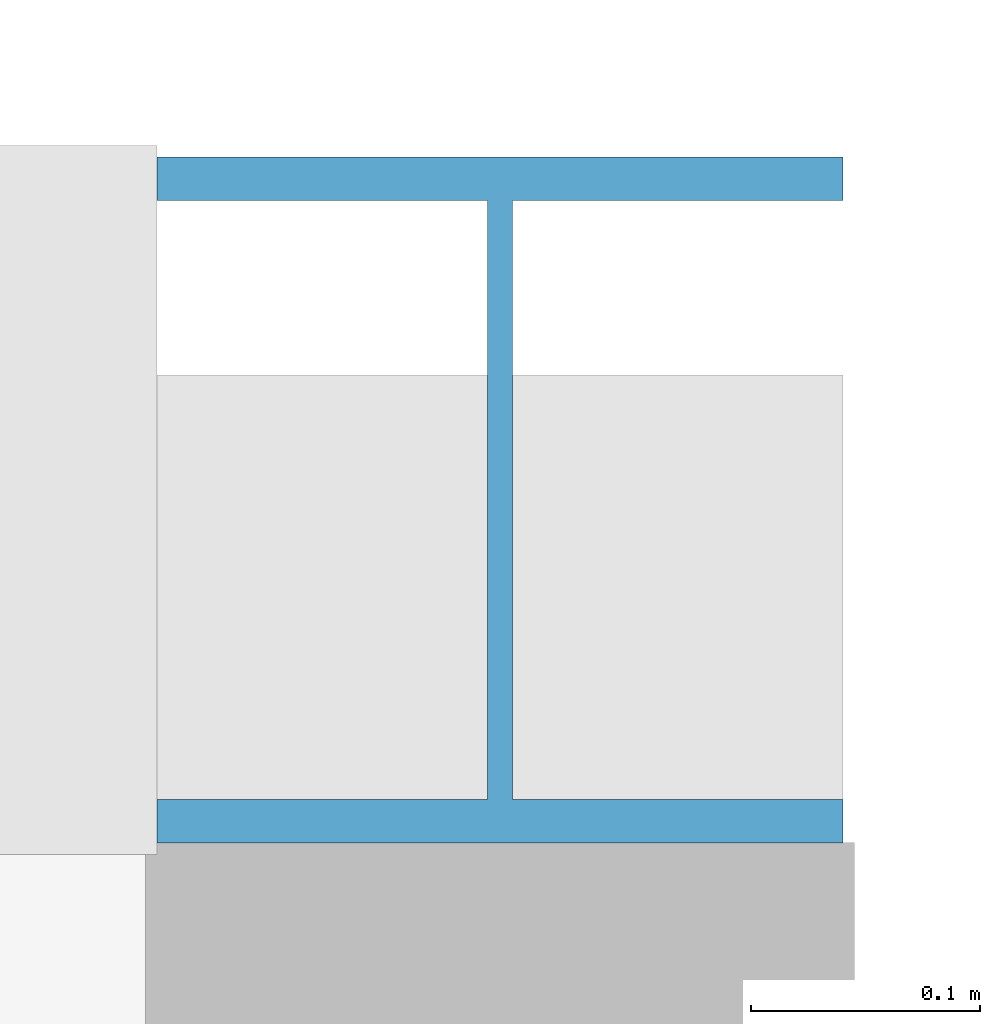
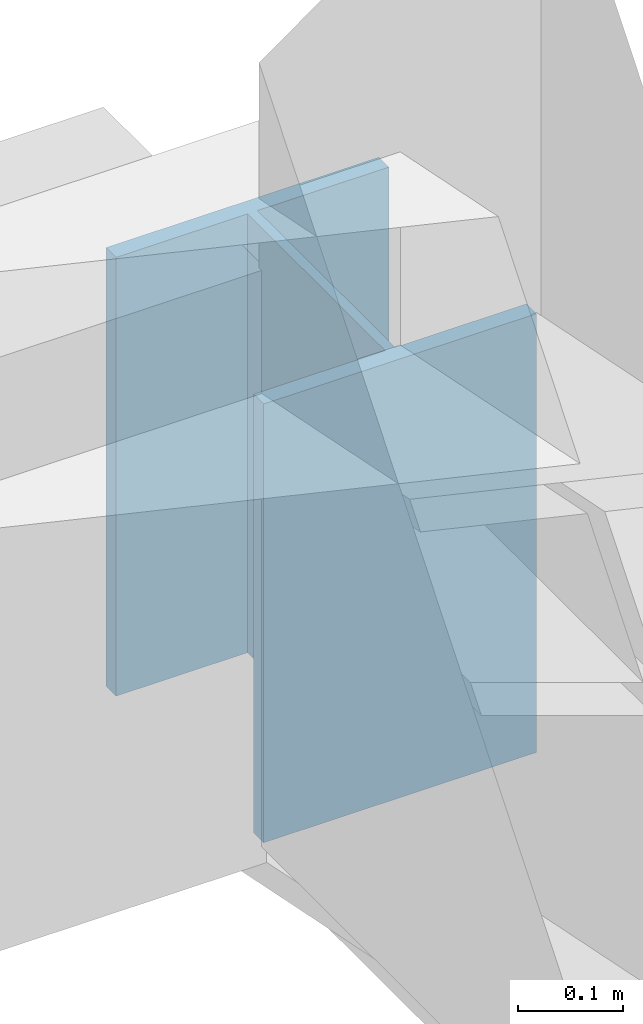
# One storey, part 14 of 103: 1 column.
"""IFC4 building model written with IfcOpenShell, lengths in metres."""

import ifcopenshell
import ifcopenshell.guid

model = None  # the IFC model being written
_history = None  # IfcOwnerHistory: only IFC2X3 demands one
_inside = {}  # id of a spatial element -> (the spatial element, [elements in it])
_under = {}  # id of a project, library or spatial element -> (it, [spatial elements below it])
_declared = {}  # id of a project -> (the project, [libraries it declares])
_typed = {}  # id of a type object -> (the type object, [elements of that type])
_made_of = {}  # id of a material, layer set ... -> (it, [elements and type objects made of it])


def new_model(schema):
    """Start an empty IFC model of exactly this schema.

    Asked for "IFC4X3", IfcOpenShell would pick the latest addendum, in which some entities
    have other attributes; the version numbers below select the first issue.
    IFC2X3 requires an IfcOwnerHistory on every rooted entity: one is made here for all.
    """
    global model, _history
    if schema == "IFC4X3":
        model = ifcopenshell.file(schema_version=(4, 3, 0, 0))
    else:
        model = ifcopenshell.file(schema=schema)
    _inside.clear()
    _under.clear()
    _declared.clear()
    _typed.clear()
    _made_of.clear()
    _history = None
    if model.schema == "IFC2X3":
        org = make("IfcOrganization", Name="unknown")
        user = make(
            "IfcPersonAndOrganization",
            ThePerson=make("IfcPerson", FamilyName="unknown"),
            TheOrganization=org,
        )
        app = make(
            "IfcApplication",
            ApplicationDeveloper=org,
            Version="unknown",
            ApplicationFullName="unknown",
            ApplicationIdentifier="unknown",
        )
        _history = make(
            "IfcOwnerHistory",
            OwningUser=user,
            OwningApplication=app,
            ChangeAction="ADDED",
            CreationDate=0,
        )
    return model


def make(cls, **values):
    """One entity of the class cls with the attributes given. An attribute that is None is left unset."""
    return model.create_entity(
        cls, **{name: value for name, value in values.items() if value is not None}
    )


def rooted(cls, **values):
    """An entity with a GlobalId (a new one), such as an element, a storey or a relation."""
    return make(cls, GlobalId=ifcopenshell.guid.new(), OwnerHistory=_history, **values)


def si_unit(unit_type, name, prefix=None):
    """IfcSIUnit, for example si_unit("LENGTHUNIT", "METRE", prefix="MILLI")."""
    return make("IfcSIUnit", UnitType=unit_type, Prefix=prefix, Name=name)


def assignment(units):
    """IfcUnitAssignment: the units of a project."""
    return None if units is None else make("IfcUnitAssignment", Units=units)


def point(xyz):
    """IfcCartesianPoint."""
    return None if xyz is None else make("IfcCartesianPoint", Coordinates=xyz)


def direction(xyz):
    """IfcDirection."""
    return None if xyz is None else make("IfcDirection", DirectionRatios=xyz)


def frame(location, z_axis=None, x_axis=None):
    """IfcAxis2Placement3D, a coordinate frame: its origin and axes. An axis left out is left unset."""
    return make(
        "IfcAxis2Placement3D",
        Location=point(location),
        Axis=direction(z_axis),
        RefDirection=direction(x_axis),
    )


def frame_2d(location, x_axis=None):
    """IfcAxis2Placement2D, a coordinate frame in the plane: its origin and x axis."""
    return make(
        "IfcAxis2Placement2D", Location=point(location), RefDirection=direction(x_axis)
    )


def origin():
    """The frame at (0, 0, 0) with its axes left unset."""
    return frame((0.0, 0.0, 0.0))


def origin_2d():
    """The frame at (0, 0) in the plane with its x axis left unset."""
    return frame_2d((0.0, 0.0))


def place(relative_to, where):
    """IfcLocalPlacement: puts the frame where relative to a parent placement (None: the world)."""
    return make(
        "IfcLocalPlacement", PlacementRelTo=relative_to, RelativePlacement=where
    )


def context(
    kind, dimensions, precision=None, world=None, true_north=None, identifier=None
):
    """IfcGeometricRepresentationContext, for example the 3D "Model" context."""
    return make(
        "IfcGeometricRepresentationContext",
        ContextIdentifier=identifier,
        ContextType=kind,
        CoordinateSpaceDimension=dimensions,
        Precision=precision,
        WorldCoordinateSystem=world,
        TrueNorth=true_north,
    )


def subcontext(parent, identifier, kind, view, scale=None):
    """IfcGeometricRepresentationSubContext, for example "Body" below "Model"."""
    return make(
        "IfcGeometricRepresentationSubContext",
        ContextIdentifier=identifier,
        ContextType=kind,
        ParentContext=parent,
        TargetScale=scale,
        TargetView=view,
    )


def project(units=None, contexts=None):
    """IfcProject with its units and contexts."""
    return rooted(
        "IfcProject",
        Name="project",
        RepresentationContexts=contexts,
        UnitsInContext=assignment(units),
    )


def spatial(cls, under=None, at=None, **own):
    """A site, building, storey or space (cls), placed at a placement, below another one or the project."""
    s = rooted(cls, ObjectPlacement=at, **own)
    if under is not None:
        _under.setdefault(under.id(), (under, []))[1].append(s)
    return s


def profile(cls, at=None, kind="AREA", **sizes):
    """A parametric profile (cls). Its sizes go by their IFC names, for example OverallWidth=200.0."""
    return make(cls, ProfileType=kind, Position=at, **sizes)


def i_section(**sizes):
    """IfcIShapeProfileDef."""
    return profile("IfcIShapeProfileDef", **sizes)


def extrude(swept, where, along, depth):
    """IfcExtrudedAreaSolid: the profile swept, set in the frame where, extruded along a direction by depth."""
    return make(
        "IfcExtrudedAreaSolid",
        SweptArea=swept,
        Position=where,
        ExtrudedDirection=direction(along),
        Depth=depth,
    )


def shape(context_of_items, identifier, shape_type, items):
    """IfcShapeRepresentation: the items that make up one representation, for example the "Body"."""
    return make(
        "IfcShapeRepresentation",
        ContextOfItems=context_of_items,
        RepresentationIdentifier=identifier,
        RepresentationType=shape_type,
        Items=items,
    )


def material(Name=None, Category=None):
    """IfcMaterial."""
    return make("IfcMaterial", Name=Name, Category=Category)


def material_profile(
    of_material, cross_section, Name=None, Category=None, Priority=None
):
    """IfcMaterialProfile: a cross section and its material."""
    return make(
        "IfcMaterialProfile",
        Name=Name,
        Material=of_material,
        Profile=cross_section,
        Priority=Priority,
        Category=Category,
    )


def profile_set(profiles, Name=None, composite=None):
    """IfcMaterialProfileSet."""
    return make(
        "IfcMaterialProfileSet",
        Name=Name,
        MaterialProfiles=profiles,
        CompositeProfile=composite,
    )


def made_of(thing, what):
    """Note that an element or type object is made of a material, layer set ...; save() writes the relation."""
    if what is not None:
        _made_of.setdefault(what.id(), (what, []))[1].append(thing)
    return thing


def type_object(cls, material=None, **own):
    """A type object (cls), such as IfcWallType, which elements share."""
    return made_of(rooted(cls, **own), material)


def element(
    cls,
    number,
    at=None,
    inside=None,
    cuts=None,
    type_object=None,
    material=None,
    context=None,
    identifier="Body",
    shape_type=None,
    held_by="IfcProductDefinitionShape",
    body=None,
    shapes=None,
    **own,
):
    """One element of the class cls, such as IfcWall. Its Tag is "e" and its number.

    at: its placement. inside: the storey or other place that contains it. cuts: it is an
    opening in that element (IfcRelVoidsElement). A single representation is given by context,
    identifier, shape_type and body (its items); several are given by shapes. held_by: the class
    of the entity that holds the representations. save() writes the other relations.
    """
    e = rooted(cls, Tag="e%d" % number, ObjectPlacement=at, **own)
    if body is not None:
        shapes = [shape(context, identifier, shape_type, body)]
    if shapes is not None:
        e.Representation = make(held_by, Representations=shapes)
    if inside is not None:
        _inside.setdefault(inside.id(), (inside, []))[1].append(e)
    if cuts is not None:
        rooted(
            "IfcRelVoidsElement", RelatingBuildingElement=cuts, RelatedOpeningElement=e
        )
    if type_object is not None:
        _typed.setdefault(type_object.id(), (type_object, []))[1].append(e)
    return made_of(e, material)


def aggregate(whole, parts):
    """IfcRelAggregates: a whole, such as a stair, and the parts it consists of."""
    return rooted("IfcRelAggregates", RelatingObject=whole, RelatedObjects=parts)


def save(model, path):
    """Write the relations noted so far, then the file.

    IfcRelAggregates (storeys below a building ...), IfcRelContainedInSpatialStructure (elements
    in a storey), IfcRelDefinesByType, IfcRelAssociatesMaterial and IfcRelDeclares: one each for
    every whole, place, type object, material and project.
    """
    for whole, parts in _under.values():
        aggregate(whole, parts)
    for where, things in _inside.values():
        rooted(
            "IfcRelContainedInSpatialStructure",
            RelatedElements=things,
            RelatingStructure=where,
        )
    for kind, things in _typed.values():
        rooted("IfcRelDefinesByType", RelatedObjects=things, RelatingType=kind)
    for what, things in _made_of.values():
        rooted("IfcRelAssociatesMaterial", RelatedObjects=things, RelatingMaterial=what)
    for by, libraries in _declared.values():
        rooted("IfcRelDeclares", RelatingContext=by, RelatedDefinitions=libraries)
    model.write(path)


model = new_model("IFC4")

# Units and contexts
model_context = context("Model", 3, precision=1e-05, world=origin(), true_north=direction((0.0, 1.0)))
body_context = subcontext(model_context, "Body", "Model", "MODEL_VIEW")
ifc_project = project(units=[si_unit("LENGTHUNIT", "METRE"), si_unit("AREAUNIT", "SQUARE_METRE"), si_unit("VOLUMEUNIT", "CUBIC_METRE"), si_unit("PLANEANGLEUNIT", "RADIAN"), si_unit("MASSUNIT", "GRAM", prefix="KILO")], contexts=[model_context])

# Site, building, storey
site_placement = place(None, origin())
site = spatial("IfcSite", under=ifc_project, at=site_placement, CompositionType="ELEMENT")
building_placement = place(site_placement, origin())
building = spatial("IfcBuilding", under=site, at=building_placement, Name="Thalmaran Polytechnic", CompositionType="ELEMENT")
storey_placement = place(building_placement, frame((0.0, 0.0, 14.39990234375)))
storey = spatial("IfcBuildingStorey", under=building, at=storey_placement, Name="L03", CompositionType="ELEMENT", Elevation=14.39990234375)

# Column
ifc_material = material(Name="Steel S355", Category="steel")
ifc_material_profile = material_profile(ifc_material, i_section(OverallWidth=0.300048828125, OverallDepth=0.300048828125, WebThickness=0.010986328125, FlangeThickness=0.01904296875, at=origin_2d()), Name="HEB 300")
ifc_profile_set = profile_set([ifc_material_profile], Name="Steel S355")
column_type = type_object("IfcColumnType", Name="COL-SC2", PredefinedType="COLUMN", material=ifc_profile_set)
column_placement = place(storey_placement, frame((72.0, 72.0, 0.0), z_axis=(0.0, 0.0, 1.0), x_axis=(1.0, 0.0, 0.0)))
element("IfcColumn", 1, at=column_placement, inside=storey, type_object=column_type, Name="Refectory Roof North Post G10", PredefinedType="COLUMN", context=body_context, shape_type="SweptSolid", body=[
    extrude(i_section(OverallWidth=0.300048828125, OverallDepth=0.300048828125, WebThickness=0.010986328125, FlangeThickness=0.01904296875, at=origin_2d()), origin(), (0.0, 0.0, 1.0), 0.510009765625),
])

save(model, "model.ifc")
